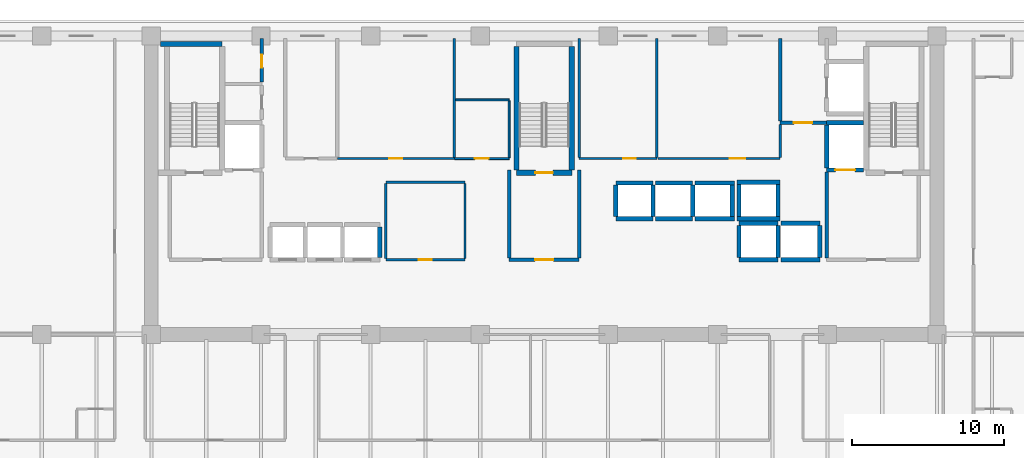
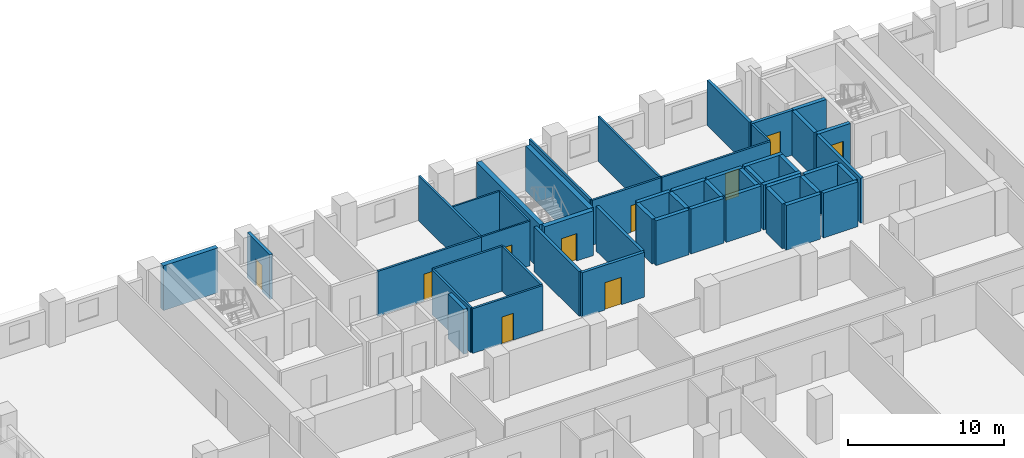
# One storey, part 7 of 14: 50 walls, 10 doors, 10 openings.
"""IFC4 building model written with IfcOpenShell, lengths in metres."""

from ifc_helpers import new_model, si_unit, direction, frame, frame_2d, origin, place, context, subcontext, project, spatial, rectangle, extrude, material, layer, layer_set, type_object, element, fill, save


model = new_model("IFC4")

# Units and contexts
model_context = context("Model", 3, precision=1e-05, world=origin(), true_north=direction((0.0, 1.0)))
body_context = subcontext(model_context, "Body", "Model", "MODEL_VIEW")
ifc_project = project(units=[si_unit("LENGTHUNIT", "METRE"), si_unit("AREAUNIT", "SQUARE_METRE"), si_unit("VOLUMEUNIT", "CUBIC_METRE"), si_unit("PLANEANGLEUNIT", "RADIAN"), si_unit("MASSUNIT", "GRAM", prefix="KILO")], contexts=[model_context])

# Site, building, storey
site_placement = place(None, origin())
site = spatial("IfcSite", under=ifc_project, at=site_placement, CompositionType="ELEMENT")
building_placement = place(site_placement, origin())
building = spatial("IfcBuilding", under=site, at=building_placement, Name="Kaelvorn Grand Hotel", CompositionType="ELEMENT")
storey_placement = place(building_placement, frame((0.0, 0.0, 93.050048828125)))
storey = spatial("IfcBuildingStorey", under=building, at=storey_placement, Name="L21", CompositionType="ELEMENT", Elevation=93.050048828125)

# Wall, opening, door
ifc_material_1 = material(Name="Moisture-Resistant Tile & Stud Board")
ifc_layer_1 = layer(ifc_material_1, 0.125)
ifc_layer_set_1 = layer_set([ifc_layer_1], Name="Moisture-Resistant Tile & Stud Board")
wall_type_1 = type_object("IfcWallType", Name="WL-PART-125-WET", PredefinedType="PARTITIONING", material=ifc_layer_set_1)
wall_1_placement = place(storey_placement, frame((36.110107421875, 40.949951171875, 0.0), z_axis=(0.0, 0.0, 1.0), x_axis=(1.0, 0.0, 0.0)))
wall_1 = element("IfcWall", 1, at=wall_1_placement, inside=storey, type_object=wall_type_1, Name="L21 Accessible WC S Partition", PredefinedType="PARTITIONING", context=body_context, shape_type="SweptSolid", body=[
    extrude(rectangle(XDim=3.58984375, YDim=0.125, at=frame_2d((1.794921875, 0.0))), origin(), (0.0, 0.0, 1.0), 3.510009765625),
])
opening_1_placement = place(wall_1_placement, frame((1.340087890625, 0.0, 0.0)))
opening_1 = element("IfcOpeningElement", 2, at=opening_1_placement, cuts=wall_1, Name="Opening DI4", PredefinedType="OPENING", context=body_context, shape_type="SweptSolid", body=[
    extrude(rectangle(XDim=0.89990234375, YDim=2.10009765625, at=frame_2d((0.449951171875, 1.050048828125))), frame((0.0, 0.072509765625, 0.0), z_axis=(0.0, -1.0, 0.0), x_axis=(1.0, 0.0, 0.0)), (0.0, 0.0, 1.0), 0.14501953125),
])
ifc_material_2 = material(Name="Timber Veneer Leaf", Category="wood")
door_type_1 = type_object("IfcDoorType", Name="DR-INT-BATH-900x2100", OperationType="NOTDEFINED", PredefinedType="DOOR", material=ifc_material_2)
door_1_placement = place(opening_1_placement, origin())
door_1 = element("IfcDoor", 3, at=door_1_placement, inside=storey, type_object=door_type_1, Name="L21 Accessible WC Door", OperationType="SINGLE_SWING_LEFT", OverallHeight=2.10009765625, OverallWidth=0.89990234375, PredefinedType="DOOR", context=body_context, shape_type="SweptSolid", body=[
    extrude(rectangle(XDim=0.89990234375, YDim=2.10009765625, at=frame_2d((0.449951171875, 1.050048828125))), frame((0.0, 0.02490234375, 0.0), z_axis=(0.0, -1.0, 0.0), x_axis=(1.0, 0.0, 0.0)), (0.0, 0.0, 1.0), 0.050048828125),
])
fill(opening_1, door_1)

# Walls
wall_2_placement = place(storey_placement, frame((36.179931640625, 44.800048828125, 0.0), z_axis=(0.0, 0.0, 1.0), x_axis=(1.0, 0.0, 0.0)))
element("IfcWall", 4, at=wall_2_placement, inside=storey, type_object=wall_type_1, Name="L21 Accessible WC N Partition", PredefinedType="PARTITIONING", context=body_context, shape_type="SweptSolid", body=[
    extrude(rectangle(XDim=3.52001953125, YDim=0.125, at=frame_2d((1.760009765625, 0.0))), origin(), (0.0, 0.0, 1.0), 3.510009765625),
])
wall_3_placement = place(storey_placement, frame((39.699951171875, 41.017578125, 0.0), z_axis=(0.0, 0.0, 1.0), x_axis=(0.0, 1.0, 0.0)))
element("IfcWall", 5, at=wall_3_placement, inside=storey, type_object=wall_type_1, Name="L21 Accessible WC E Partition", PredefinedType="PARTITIONING", context=body_context, shape_type="SweptSolid", body=[
    extrude(rectangle(XDim=3.71484375, YDim=0.125, at=frame_2d((1.857421875, 0.0))), origin(), (0.0, 0.0, 1.0), 3.510009765625),
])

# Wall, opening, door
ifc_material_3 = material(Name="Acoustic Gypsum & Stud Partition")
ifc_layer_2 = layer(ifc_material_3, 0.14990234375)
ifc_layer_set_2 = layer_set([ifc_layer_2], Name="Acoustic Gypsum & Stud Partition")
wall_type_2 = type_object("IfcWallType", Name="WL-PART-150-EI60", PredefinedType="PARTITIONING", material=ifc_layer_set_2)
wall_4_placement = place(storey_placement, frame((31.60009765625, 34.300048828125, 0.0), z_axis=(0.0, 0.0, 1.0), x_axis=(1.0, 0.0, 0.0)))
wall_4 = element("IfcWall", 6, at=wall_4_placement, inside=storey, type_object=wall_type_2, Name="L21 Core Telecoms & BMS Server Room S Partition", PredefinedType="PARTITIONING", context=body_context, shape_type="SweptSolid", body=[
    extrude(rectangle(XDim=5.199951171875, YDim=0.14990234375, at=frame_2d((2.60009765625, 0.0))), origin(), (0.0, 0.0, 1.0), 3.510009765625),
])
opening_2_placement = place(wall_4_placement, frame((2.175048828125, 0.0, 0.0)))
opening_2 = element("IfcOpeningElement", 7, at=opening_2_placement, cuts=wall_4, Name="Opening DI7", PredefinedType="OPENING", context=body_context, shape_type="SweptSolid", body=[
    extrude(rectangle(XDim=0.85009765625, YDim=2.10009765625, at=frame_2d((0.425048828125, 1.050048828125))), frame((0.0, 0.0849609375, 0.0), z_axis=(0.0, -1.0, 0.0), x_axis=(1.0, 0.0, 0.0)), (0.0, 0.0, 1.0), 0.169921875),
])
ifc_material_4 = material(Name="Powder-Coated Steel Leaf", Category="steel")
door_type_2 = type_object("IfcDoorType", Name="DR-INT-RISER-850x2100", OperationType="NOTDEFINED", PredefinedType="DOOR", material=ifc_material_4)
door_2_placement = place(opening_2_placement, origin())
door_2 = element("IfcDoor", 8, at=door_2_placement, inside=storey, type_object=door_type_2, Name="L21 Core Telecoms & BMS Server Room Door", OperationType="SINGLE_SWING_RIGHT", OverallHeight=2.10009765625, OverallWidth=0.85009765625, PredefinedType="DOOR", context=body_context, shape_type="SweptSolid", body=[
    extrude(rectangle(XDim=0.85009765625, YDim=2.10009765625, at=frame_2d((0.425048828125, 1.050048828125))), frame((0.0, 0.02490234375, 0.0), z_axis=(0.0, -1.0, 0.0), x_axis=(1.0, 0.0, 0.0)), (0.0, 0.0, 1.0), 0.050048828125),
])
fill(opening_2, door_2)

# Walls
wall_5_placement = place(storey_placement, frame((31.60009765625, 39.39990234375, 0.0), z_axis=(0.0, 0.0, 1.0), x_axis=(1.0, 0.0, 0.0)))
element("IfcWall", 9, at=wall_5_placement, inside=storey, type_object=wall_type_2, Name="L21 Core Telecoms & BMS Server Room N Partition", PredefinedType="PARTITIONING", context=body_context, shape_type="SweptSolid", body=[
    extrude(rectangle(XDim=5.199951171875, YDim=0.14990234375, at=frame_2d((2.60009765625, 0.0))), origin(), (0.0, 0.0, 1.0), 3.510009765625),
])
for number, where, z_axis, x_axis, name in (
    (10, (31.60009765625, 34.3798828125, 0.0), (0.0, 0.0, 1.0), (0.0, 1.0, 0.0), "L21 Core Telecoms & BMS Server Room W Partition"),
    (11, (36.800048828125, 34.3798828125, 0.0), (0.0, 0.0, 1.0), (0.0, 1.0, 0.0), "L21 Core Telecoms & BMS Server Room E Partition"),
):
    element("IfcWall", number, at=place(storey_placement, frame(where, z_axis=z_axis, x_axis=x_axis)), inside=storey, type_object=wall_type_2, Name=name, PredefinedType="PARTITIONING", context=body_context, shape_type="SweptSolid", body=[
        extrude(rectangle(XDim=4.940185546875, YDim=0.14990234375, at=frame_2d((2.47021484375, 0.0))), origin(), (0.0, 0.0, 1.0), 3.510009765625),
    ])

# Wall, opening, door
wall_6_placement = place(storey_placement, frame((28.409912109375, 40.949951171875, 0.0), z_axis=(0.0, 0.0, 1.0), x_axis=(1.0, 0.0, 0.0)))
wall_6 = element("IfcWall", 12, at=wall_6_placement, inside=storey, type_object=wall_type_2, Name="L21 Housekeeping & Linen Room S Partition", PredefinedType="PARTITIONING", context=body_context, shape_type="SweptSolid", body=[
    extrude(rectangle(XDim=7.690185546875, YDim=0.14990234375, at=frame_2d((3.84521484375, 0.0))), origin(), (0.0, 0.0, 1.0), 3.510009765625),
])
opening_3_placement = place(wall_6_placement, frame((3.4150390625, 0.0, 0.0)))
opening_3 = element("IfcOpeningElement", 13, at=opening_3_placement, cuts=wall_6, Name="Opening DI7", PredefinedType="OPENING", context=body_context, shape_type="SweptSolid", body=[
    extrude(rectangle(XDim=0.85009765625, YDim=2.10009765625, at=frame_2d((0.425048828125, 1.050048828125))), frame((0.0, 0.0849609375, 0.0), z_axis=(0.0, -1.0, 0.0), x_axis=(1.0, 0.0, 0.0)), (0.0, 0.0, 1.0), 0.169921875),
])
door_3_placement = place(opening_3_placement, origin())
door_3 = element("IfcDoor", 14, at=door_3_placement, inside=storey, type_object=door_type_2, Name="L21 Housekeeping & Linen Room Door", OperationType="SINGLE_SWING_RIGHT", OverallHeight=2.10009765625, OverallWidth=0.85009765625, PredefinedType="DOOR", context=body_context, shape_type="SweptSolid", body=[
    extrude(rectangle(XDim=0.85009765625, YDim=2.10009765625, at=frame_2d((0.425048828125, 1.050048828125))), frame((0.0, 0.02490234375, 0.0), z_axis=(0.0, -1.0, 0.0), x_axis=(1.0, 0.0, 0.0)), (0.0, 0.0, 1.0), 0.050048828125),
])
fill(opening_3, door_3)

# Wall
wall_7_placement = place(storey_placement, frame((36.10009765625, 41.030029296875, 0.0), z_axis=(0.0, 0.0, 1.0), x_axis=(0.0, 1.0, 0.0)))
element("IfcWall", 15, at=wall_7_placement, inside=storey, type_object=wall_type_2, Name="L21 Housekeeping & Linen Room E Partition", PredefinedType="PARTITIONING", context=body_context, shape_type="SweptSolid", body=[
    extrude(rectangle(XDim=7.820068359375, YDim=0.14990234375, at=frame_2d((3.91015625, 0.0))), origin(), (0.0, 0.0, 1.0), 3.510009765625),
])

# Wall, opening, door
wall_8_placement = place(storey_placement, frame((44.300048828125, 40.949951171875, 0.0), z_axis=(0.0, 0.0, 1.0), x_axis=(1.0, 0.0, 0.0)))
wall_8 = element("IfcWall", 16, at=wall_8_placement, inside=storey, type_object=wall_type_2, Name="L21 Laundry Chute Vestibule S Partition", PredefinedType="PARTITIONING", context=body_context, shape_type="SweptSolid", body=[
    extrude(rectangle(XDim=5.099853515625, YDim=0.14990234375, at=frame_2d((2.5498046875, 0.0))), origin(), (0.0, 0.0, 1.0), 3.510009765625),
])
opening_4_placement = place(wall_8_placement, frame((2.875, 0.0, 0.0)))
opening_4 = element("IfcOpeningElement", 17, at=opening_4_placement, cuts=wall_8, Name="Opening DI7", PredefinedType="OPENING", context=body_context, shape_type="SweptSolid", body=[
    extrude(rectangle(XDim=0.85009765625, YDim=2.10009765625, at=frame_2d((0.425048828125, 1.050048828125))), frame((0.0, 0.0849609375, 0.0), z_axis=(0.0, -1.0, 0.0), x_axis=(1.0, 0.0, 0.0)), (0.0, 0.0, 1.0), 0.169921875),
])
door_4_placement = place(opening_4_placement, origin())
door_4 = element("IfcDoor", 18, at=door_4_placement, inside=storey, type_object=door_type_2, Name="L21 Laundry Chute Vestibule Door", OperationType="SINGLE_SWING_RIGHT", OverallHeight=2.10009765625, OverallWidth=0.85009765625, PredefinedType="DOOR", context=body_context, shape_type="SweptSolid", body=[
    extrude(rectangle(XDim=0.85009765625, YDim=2.10009765625, at=frame_2d((0.425048828125, 1.050048828125))), frame((0.0, 0.02490234375, 0.0), z_axis=(0.0, -1.0, 0.0), x_axis=(1.0, 0.0, 0.0)), (0.0, 0.0, 1.0), 0.050048828125),
])
fill(opening_4, door_4)

# Walls
for number, where, z_axis, x_axis, name in (
    (19, (44.300048828125, 41.030029296875, 0.0), (0.0, 0.0, 1.0), (0.0, 1.0, 0.0), "L21 Laundry Chute Vestibule W Partition"),
    (20, (49.39990234375, 41.030029296875, 0.0), (0.0, 0.0, 1.0), (0.0, 1.0, 0.0), "L21 Laundry Chute Vestibule E Partition"),
):
    element("IfcWall", number, at=place(storey_placement, frame(where, z_axis=z_axis, x_axis=x_axis)), inside=storey, type_object=wall_type_2, Name=name, PredefinedType="PARTITIONING", context=body_context, shape_type="SweptSolid", body=[
        extrude(rectangle(XDim=7.820068359375, YDim=0.14990234375, at=frame_2d((3.91015625, 0.0))), origin(), (0.0, 0.0, 1.0), 3.510009765625),
    ])

# Wall, opening, door
wall_9_placement = place(storey_placement, frame((49.47998046875, 40.949951171875, 0.0), z_axis=(0.0, 0.0, 1.0), x_axis=(1.0, 0.0, 0.0)))
wall_9 = element("IfcWall", 21, at=wall_9_placement, inside=storey, type_object=wall_type_2, Name="L21 Butler Servery Pantry S Partition", PredefinedType="PARTITIONING", context=body_context, shape_type="SweptSolid", body=[
    extrude(rectangle(XDim=8.02001953125, YDim=0.14990234375, at=frame_2d((4.010009765625, 0.0))), origin(), (0.0, 0.0, 1.0), 3.510009765625),
])
opening_5_placement = place(wall_9_placement, frame((4.719970703125, 0.0, 0.0)))
opening_5 = element("IfcOpeningElement", 22, at=opening_5_placement, cuts=wall_9, Name="Opening DI3", PredefinedType="OPENING", context=body_context, shape_type="SweptSolid", body=[
    extrude(rectangle(XDim=1.0, YDim=2.14990234375, at=frame_2d((0.5, 1.074951171875))), frame((0.0, 0.0849609375, 0.0), z_axis=(0.0, -1.0, 0.0), x_axis=(1.0, 0.0, 0.0)), (0.0, 0.0, 1.0), 0.169921875),
])
ifc_material_5 = material(Name="Timber Veneer Fire Leaf", Category="wood")
door_type_3 = type_object("IfcDoorType", Name="DR-INT-GUEST-1000x2150", OperationType="NOTDEFINED", PredefinedType="DOOR", material=ifc_material_5)
door_5_placement = place(opening_5_placement, origin())
door_5 = element("IfcDoor", 23, at=door_5_placement, inside=storey, type_object=door_type_3, Name="L21 Butler Servery Pantry Door", OperationType="SINGLE_SWING_LEFT", OverallHeight=2.14990234375, OverallWidth=1.0, PredefinedType="DOOR", context=body_context, shape_type="SweptSolid", body=[
    extrude(rectangle(XDim=1.0, YDim=2.14990234375, at=frame_2d((0.5, 1.074951171875))), frame((0.0, 0.02490234375, 0.0), z_axis=(0.0, -1.0, 0.0), x_axis=(1.0, 0.0, 0.0)), (0.0, 0.0, 1.0), 0.050048828125),
])
fill(opening_5, door_5)

# Walls
wall_10_placement = place(storey_placement, frame((57.5, 41.030029296875, 0.0), z_axis=(0.0, 0.0, 1.0), x_axis=(0.0, 1.0, 0.0)))
element("IfcWall", 24, at=wall_10_placement, inside=storey, type_object=wall_type_2, Name="L21 Butler Servery Pantry E Partition", PredefinedType="PARTITIONING", context=body_context, shape_type="SweptSolid", body=[
    extrude(rectangle(XDim=2.155029296875, YDim=0.14990234375, at=frame_2d((1.07763671875, 0.0))), origin(), (0.0, 0.0, 1.0), 3.510009765625),
])
ifc_material_6 = material(Name="Concrete C40/50", Category="concrete")
ifc_layer_3 = layer(ifc_material_6, 0.219970703125)
ifc_layer_set_3 = layer_set([ifc_layer_3], Name="Concrete C40/50")
wall_type_3 = type_object("IfcWallType", Name="WL-PART-220-EI120", PredefinedType="PARTITIONING", material=ifc_layer_set_3)
wall_11_placement = place(storey_placement, frame((60.550048828125, 34.4150390625, 0.0), z_axis=(0.0, 0.0, 1.0), x_axis=(0.0, 1.0, 0.0)))
element("IfcWall", 25, at=wall_11_placement, inside=storey, type_object=wall_type_3, Name="L21 Firefighting Lift Lobby 2 W Partition", PredefinedType="PARTITIONING", context=body_context, shape_type="SweptSolid", body=[
    extrude(rectangle(XDim=5.639892578125, YDim=0.219970703125, at=frame_2d((2.81982421875, 0.0))), origin(), (0.0, 0.0, 1.0), 3.510009765625),
])

# Wall, opening, door
wall_12_placement = place(storey_placement, frame((39.699951171875, 34.300048828125, 0.0), z_axis=(0.0, 0.0, 1.0), x_axis=(1.0, 0.0, 0.0)))
wall_12 = element("IfcWall", 26, at=wall_12_placement, inside=storey, type_object=wall_type_3, Name="L21 Central Stair Escape Vestibule S Partition", PredefinedType="PARTITIONING", context=body_context, shape_type="SweptSolid", body=[
    extrude(rectangle(XDim=4.60009765625, YDim=0.219970703125, at=frame_2d((2.300048828125, 0.0))), origin(), (0.0, 0.0, 1.0), 3.510009765625),
])
opening_6_placement = place(wall_12_placement, frame((1.699951171875, 0.0, 0.0)))
opening_6 = element("IfcOpeningElement", 27, at=opening_6_placement, cuts=wall_12, Name="Opening DI2", PredefinedType="OPENING", context=body_context, shape_type="SweptSolid", body=[
    extrude(rectangle(XDim=1.199951171875, YDim=2.14990234375, at=frame_2d((0.60009765625, 1.074951171875))), frame((0.0, 0.1201171875, 0.0), z_axis=(0.0, -1.0, 0.0), x_axis=(1.0, 0.0, 0.0)), (0.0, 0.0, 1.0), 0.239990234375),
])
door_type_4 = type_object("IfcDoorType", Name="DR-INT-FFLOB-1200x2150", OperationType="NOTDEFINED", PredefinedType="DOOR", material=ifc_material_5)
door_6_placement = place(opening_6_placement, origin())
door_6 = element("IfcDoor", 28, at=door_6_placement, inside=storey, type_object=door_type_4, Name="L21 Central Stair Escape Vestibule Door", OperationType="SINGLE_SWING_RIGHT", OverallHeight=2.14990234375, OverallWidth=1.199951171875, PredefinedType="DOOR", context=body_context, shape_type="SweptSolid", body=[
    extrude(rectangle(XDim=1.199951171875, YDim=2.14990234375, at=frame_2d((0.60009765625, 1.074951171875))), frame((0.0, 0.02490234375, 0.0), z_axis=(0.0, -1.0, 0.0), x_axis=(1.0, 0.0, 0.0)), (0.0, 0.0, 1.0), 0.050048828125),
])
fill(opening_6, door_6)

# Walls
for number, where, z_axis, x_axis, name in (
    (29, (39.699951171875, 34.4150390625, 0.0), (0.0, 0.0, 1.0), (0.0, 1.0, 0.0), "L21 Central Stair Escape Vestibule W Partition"),
    (30, (44.300048828125, 34.4150390625, 0.0), (0.0, 0.0, 1.0), (0.0, 1.0, 0.0), "L21 Central Stair Escape Vestibule E Partition"),
):
    element("IfcWall", number, at=place(storey_placement, frame(where, z_axis=z_axis, x_axis=x_axis)), inside=storey, type_object=wall_type_3, Name=name, PredefinedType="PARTITIONING", context=body_context, shape_type="SweptSolid", body=[
        extrude(rectangle(XDim=5.784912109375, YDim=0.219970703125, at=frame_2d((2.892578125, 0.0))), origin(), (0.0, 0.0, 1.0), 3.510009765625),
    ])

# Wall, opening, door
wall_13_placement = place(storey_placement, frame((57.5, 43.300048828125, 0.0), z_axis=(0.0, 0.0, 1.0), x_axis=(1.0, 0.0, 0.0)))
wall_13 = element("IfcWall", 31, at=wall_13_placement, inside=storey, type_object=wall_type_3, Name="L21 Service Lift Lobby S Partition", PredefinedType="PARTITIONING", context=body_context, shape_type="SweptSolid", body=[
    extrude(rectangle(XDim=3.0400390625, YDim=0.219970703125, at=frame_2d((1.52001953125, 0.0))), origin(), (0.0, 0.0, 1.0), 3.510009765625),
])
opening_7_placement = place(wall_13_placement, frame((0.89990234375, 0.0, 0.0)))
opening_7 = element("IfcOpeningElement", 32, at=opening_7_placement, cuts=wall_13, Name="Opening DI2", PredefinedType="OPENING", context=body_context, shape_type="SweptSolid", body=[
    extrude(rectangle(XDim=1.199951171875, YDim=2.14990234375, at=frame_2d((0.60009765625, 1.074951171875))), frame((0.0, 0.1201171875, 0.0), z_axis=(0.0, -1.0, 0.0), x_axis=(1.0, 0.0, 0.0)), (0.0, 0.0, 1.0), 0.239990234375),
])
door_7_placement = place(opening_7_placement, origin())
door_7 = element("IfcDoor", 33, at=door_7_placement, inside=storey, type_object=door_type_4, Name="L21 Service Lift Lobby Door", OperationType="SINGLE_SWING_LEFT", OverallHeight=2.14990234375, OverallWidth=1.199951171875, PredefinedType="DOOR", context=body_context, shape_type="SweptSolid", body=[
    extrude(rectangle(XDim=1.199951171875, YDim=2.14990234375, at=frame_2d((0.60009765625, 1.074951171875))), frame((0.0, 0.02490234375, 0.0), z_axis=(0.0, -1.0, 0.0), x_axis=(1.0, 0.0, 0.0)), (0.0, 0.0, 1.0), 0.050048828125),
])
fill(opening_7, door_7)

# Wall
wall_14_placement = place(storey_placement, frame((57.5, 43.4150390625, 0.0), z_axis=(0.0, 0.0, 1.0), x_axis=(0.0, 1.0, 0.0)))
element("IfcWall", 34, at=wall_14_placement, inside=storey, type_object=wall_type_3, Name="L21 Service Lift Lobby W Partition", PredefinedType="PARTITIONING", context=body_context, shape_type="SweptSolid", body=[
    extrude(rectangle(XDim=5.43505859375, YDim=0.219970703125, at=frame_2d((2.717529296875, 0.0))), origin(), (0.0, 0.0, 1.0), 3.510009765625),
])

# Wall, opening, door
wall_15_placement = place(storey_placement, frame((23.449951171875, 45.965087890625, 0.0), z_axis=(0.0, 0.0, 1.0), x_axis=(0.0, 1.0, 0.0)))
wall_15 = element("IfcWall", 35, at=wall_15_placement, inside=storey, type_object=wall_type_3, Name="L21 HV Electrical & Smoke Riser E Partition", PredefinedType="PARTITIONING", context=body_context, shape_type="SweptSolid", body=[
    extrude(rectangle(XDim=2.885009765625, YDim=0.219970703125, at=frame_2d((1.4423828125, 0.0))), origin(), (0.0, 0.0, 1.0), 3.510009765625),
])
opening_8_placement = place(wall_15_placement, frame((0.9599609375, 0.0, 0.0)))
opening_8 = element("IfcOpeningElement", 36, at=opening_8_placement, cuts=wall_15, Name="Opening DI7", PredefinedType="OPENING", context=body_context, shape_type="SweptSolid", body=[
    extrude(rectangle(XDim=0.85009765625, YDim=2.10009765625, at=frame_2d((0.425048828125, 1.050048828125))), frame((0.0, 0.1201171875, 0.0), z_axis=(0.0, -1.0, 0.0), x_axis=(1.0, 0.0, 0.0)), (0.0, 0.0, 1.0), 0.239990234375),
])
door_8_placement = place(opening_8_placement, origin())
door_8 = element("IfcDoor", 37, at=door_8_placement, inside=storey, type_object=door_type_2, Name="L21 HV Electrical & Smoke Riser Door", OperationType="SINGLE_SWING_LEFT", OverallHeight=2.10009765625, OverallWidth=0.85009765625, PredefinedType="DOOR", context=body_context, shape_type="SweptSolid", body=[
    extrude(rectangle(XDim=0.85009765625, YDim=2.10009765625, at=frame_2d((0.425048828125, 1.050048828125))), frame((0.0, 0.02490234375, 0.0), z_axis=(0.0, -1.0, 0.0), x_axis=(1.0, 0.0, 0.0)), (0.0, 0.0, 1.0), 0.050048828125),
])
fill(opening_8, door_8)

# Walls
ifc_material_7 = material(Name="Concrete C50/60", Category="concrete")
ifc_layer_4 = layer(ifc_material_7, 0.280029296875)
ifc_layer_set_4 = layer_set([ifc_layer_4], Name="Concrete C50/60")
wall_type_4 = type_object("IfcWallType", Name="WL-SHAFT-280-C50", PredefinedType="SHEAR", material=ifc_layer_set_4)
wall_16_placement = place(storey_placement, frame((31.199951171875, 34.445068359375, 0.0), z_axis=(0.0, 0.0, 1.0), x_axis=(0.0, 1.0, 0.0)))
element("IfcWall", 38, at=wall_16_placement, inside=storey, type_object=wall_type_4, Name="L21 Lift PL-L3 Shaft East Wall", PredefinedType="SHEAR", context=body_context, shape_type="SweptSolid", body=[
    extrude(rectangle(XDim=2.010009765625, YDim=0.280029296875, at=frame_2d((1.0048828125, 0.0))), origin(), (0.0, 0.0, 1.0), 3.510009765625),
])
for number, where, z_axis, x_axis, name in (
    (39, (46.699951171875, 37.0, 0.0), (0.0, 0.0, 1.0), (1.0, 0.0, 0.0), "L21 Lift SL-1 Shaft South Wall"),
    (40, (46.699951171875, 39.35009765625, 0.0), (0.0, 0.0, 1.0), (1.0, 0.0, 0.0), "L21 Lift SL-1 Shaft North Wall"),
):
    element("IfcWall", number, at=place(storey_placement, frame(where, z_axis=z_axis, x_axis=x_axis)), inside=storey, type_object=wall_type_4, Name=name, PredefinedType="SHEAR", context=body_context, shape_type="SweptSolid", body=[
        extrude(rectangle(XDim=2.449951171875, YDim=0.280029296875, at=frame_2d((1.22509765625, 0.0))), origin(), (0.0, 0.0, 1.0), 3.510009765625),
    ])
for number, where, z_axis, x_axis, name in (
    (41, (46.699951171875, 37.14501953125, 0.0), (0.0, 0.0, 1.0), (0.0, 1.0, 0.0), "L21 Lift SL-1 Shaft West Wall"),
    (42, (49.14990234375, 37.14501953125, 0.0), (0.0, 0.0, 1.0), (0.0, 1.0, 0.0), "L21 Lift SL-1 Shaft East Wall"),
):
    element("IfcWall", number, at=place(storey_placement, frame(where, z_axis=z_axis, x_axis=x_axis)), inside=storey, type_object=wall_type_4, Name=name, PredefinedType="SHEAR", context=body_context, shape_type="SweptSolid", body=[
        extrude(rectangle(XDim=2.06005859375, YDim=0.280029296875, at=frame_2d((1.030029296875, 0.0))), origin(), (0.0, 0.0, 1.0), 3.510009765625),
    ])
for number, where, z_axis, x_axis, name in (
    (43, (49.300048828125, 37.0, 0.0), (0.0, 0.0, 1.0), (1.0, 0.0, 0.0), "L21 Lift SL-2 Shaft South Wall"),
    (44, (49.300048828125, 39.35009765625, 0.0), (0.0, 0.0, 1.0), (1.0, 0.0, 0.0), "L21 Lift SL-2 Shaft North Wall"),
):
    element("IfcWall", number, at=place(storey_placement, frame(where, z_axis=z_axis, x_axis=x_axis)), inside=storey, type_object=wall_type_4, Name=name, PredefinedType="SHEAR", context=body_context, shape_type="SweptSolid", body=[
        extrude(rectangle(XDim=2.449951171875, YDim=0.280029296875, at=frame_2d((1.22509765625, 0.0))), origin(), (0.0, 0.0, 1.0), 3.510009765625),
    ])
wall_17_placement = place(storey_placement, frame((51.75, 37.14501953125, 0.0), z_axis=(0.0, 0.0, 1.0), x_axis=(0.0, 1.0, 0.0)))
element("IfcWall", 45, at=wall_17_placement, inside=storey, type_object=wall_type_4, Name="L21 Lift SL-2 Shaft East Wall", PredefinedType="SHEAR", context=body_context, shape_type="SweptSolid", body=[
    extrude(rectangle(XDim=2.06005859375, YDim=0.280029296875, at=frame_2d((1.030029296875, 0.0))), origin(), (0.0, 0.0, 1.0), 3.510009765625),
])
for number, where, z_axis, x_axis, name in (
    (46, (51.89990234375, 37.0, 0.0), (0.0, 0.0, 1.0), (1.0, 0.0, 0.0), "L21 Lift SL-3 Shaft South Wall"),
    (47, (51.89990234375, 39.35009765625, 0.0), (0.0, 0.0, 1.0), (1.0, 0.0, 0.0), "L21 Lift SL-3 Shaft North Wall"),
):
    element("IfcWall", number, at=place(storey_placement, frame(where, z_axis=z_axis, x_axis=x_axis)), inside=storey, type_object=wall_type_4, Name=name, PredefinedType="SHEAR", context=body_context, shape_type="SweptSolid", body=[
        extrude(rectangle(XDim=2.590087890625, YDim=0.280029296875, at=frame_2d((1.294921875, 0.0))), origin(), (0.0, 0.0, 1.0), 3.510009765625),
    ])
wall_18_placement = place(storey_placement, frame((54.35009765625, 37.14501953125, 0.0), z_axis=(0.0, 0.0, 1.0), x_axis=(0.0, 1.0, 0.0)))
element("IfcWall", 48, at=wall_18_placement, inside=storey, type_object=wall_type_4, Name="L21 Lift SL-3 Shaft East Wall", PredefinedType="SHEAR", context=body_context, shape_type="SweptSolid", body=[
    extrude(rectangle(XDim=2.06005859375, YDim=0.280029296875, at=frame_2d((1.030029296875, 0.0))), origin(), (0.0, 0.0, 1.0), 3.510009765625),
])
for number, where, z_axis, x_axis, name in (
    (49, (54.800048828125, 34.300048828125, 0.0), (0.0, 0.0, 1.0), (1.0, 0.0, 0.0), "L21 Lift OL-1 Shaft South Wall"),
    (50, (54.800048828125, 36.699951171875, 0.0), (0.0, 0.0, 1.0), (1.0, 0.0, 0.0), "L21 Lift OL-1 Shaft North Wall"),
):
    element("IfcWall", number, at=place(storey_placement, frame(where, z_axis=z_axis, x_axis=x_axis)), inside=storey, type_object=wall_type_4, Name=name, PredefinedType="SHEAR", context=body_context, shape_type="SweptSolid", body=[
        extrude(rectangle(XDim=2.550048828125, YDim=0.280029296875, at=frame_2d((1.27490234375, 0.0))), origin(), (0.0, 0.0, 1.0), 3.510009765625),
    ])
for number, where, z_axis, x_axis, name in (
    (51, (54.800048828125, 34.445068359375, 0.0), (0.0, 0.0, 1.0), (0.0, 1.0, 0.0), "L21 Lift OL-1 Shaft West Wall"),
    (52, (57.35009765625, 34.445068359375, 0.0), (0.0, 0.0, 1.0), (0.0, 1.0, 0.0), "L21 Lift OL-1 Shaft East Wall"),
):
    element("IfcWall", number, at=place(storey_placement, frame(where, z_axis=z_axis, x_axis=x_axis)), inside=storey, type_object=wall_type_4, Name=name, PredefinedType="SHEAR", context=body_context, shape_type="SweptSolid", body=[
        extrude(rectangle(XDim=2.10986328125, YDim=0.280029296875, at=frame_2d((1.054931640625, 0.0))), origin(), (0.0, 0.0, 1.0), 3.510009765625),
    ])
for number, where, z_axis, x_axis, name in (
    (53, (57.550048828125, 34.300048828125, 0.0), (0.0, 0.0, 1.0), (1.0, 0.0, 0.0), "L21 Lift OL-2 Shaft South Wall"),
    (54, (57.550048828125, 36.699951171875, 0.0), (0.0, 0.0, 1.0), (1.0, 0.0, 0.0), "L21 Lift OL-2 Shaft North Wall"),
):
    element("IfcWall", number, at=place(storey_placement, frame(where, z_axis=z_axis, x_axis=x_axis)), inside=storey, type_object=wall_type_4, Name=name, PredefinedType="SHEAR", context=body_context, shape_type="SweptSolid", body=[
        extrude(rectangle(XDim=2.550048828125, YDim=0.280029296875, at=frame_2d((1.27490234375, 0.0))), origin(), (0.0, 0.0, 1.0), 3.510009765625),
    ])
wall_19_placement = place(storey_placement, frame((60.10009765625, 34.445068359375, 0.0), z_axis=(0.0, 0.0, 1.0), x_axis=(0.0, 1.0, 0.0)))
element("IfcWall", 55, at=wall_19_placement, inside=storey, type_object=wall_type_4, Name="L21 Lift OL-2 Shaft East Wall", PredefinedType="SHEAR", context=body_context, shape_type="SweptSolid", body=[
    extrude(rectangle(XDim=2.10986328125, YDim=0.280029296875, at=frame_2d((1.054931640625, 0.0))), origin(), (0.0, 0.0, 1.0), 3.510009765625),
])
for number, where, z_axis, x_axis, name in (
    (56, (54.659912109375, 37.0, 0.0), (0.0, 0.0, 1.0), (1.0, 0.0, 0.0), "L21 Lift OL-3 Shaft South Wall"),
    (57, (54.659912109375, 39.39990234375, 0.0), (0.0, 0.0, 1.0), (1.0, 0.0, 0.0), "L21 Lift OL-3 Shaft North Wall"),
):
    element("IfcWall", number, at=place(storey_placement, frame(where, z_axis=z_axis, x_axis=x_axis)), inside=storey, type_object=wall_type_4, Name=name, PredefinedType="SHEAR", context=body_context, shape_type="SweptSolid", body=[
        extrude(rectangle(XDim=2.830078125, YDim=0.280029296875, at=frame_2d((1.4150390625, 0.0))), origin(), (0.0, 0.0, 1.0), 3.510009765625),
    ])
for number, where, z_axis, x_axis, name in (
    (58, (54.800048828125, 37.14501953125, 0.0), (0.0, 0.0, 1.0), (0.0, 1.0, 0.0), "L21 Lift OL-3 Shaft West Wall"),
    (59, (57.35009765625, 37.14501953125, 0.0), (0.0, 0.0, 1.0), (0.0, 1.0, 0.0), "L21 Lift OL-3 Shaft East Wall"),
):
    element("IfcWall", number, at=place(storey_placement, frame(where, z_axis=z_axis, x_axis=x_axis)), inside=storey, type_object=wall_type_4, Name=name, PredefinedType="SHEAR", context=body_context, shape_type="SweptSolid", body=[
        extrude(rectangle(XDim=2.10986328125, YDim=0.280029296875, at=frame_2d((1.054931640625, 0.0))), origin(), (0.0, 0.0, 1.0), 3.510009765625),
    ])

# Wall, opening, door
wall_20_placement = place(storey_placement, frame((60.550048828125, 40.199951171875, 0.0), z_axis=(0.0, 0.0, 1.0), x_axis=(1.0, 0.0, 0.0)))
wall_20 = element("IfcWall", 60, at=wall_20_placement, inside=storey, type_object=wall_type_4, Name="L21 Lift FFL2 Shaft South Wall", PredefinedType="SHEAR", context=body_context, shape_type="SweptSolid", body=[
    extrude(rectangle(XDim=2.4150390625, YDim=0.280029296875, at=frame_2d((1.20751953125, 0.0))), origin(), (0.0, 0.0, 1.0), 3.510009765625),
])
opening_9_placement = place(wall_20_placement, frame((0.574951171875, 0.0, 0.0)))
opening_9 = element("IfcOpeningElement", 61, at=opening_9_placement, cuts=wall_20, Name="Opening LD-FFL2", PredefinedType="OPENING", context=body_context, shape_type="SweptSolid", body=[
    extrude(rectangle(XDim=1.300048828125, YDim=2.300048828125, at=frame_2d((0.64990234375, 1.14990234375))), frame((0.0, 0.14990234375, 0.0), z_axis=(0.0, -1.0, 0.0), x_axis=(1.0, 0.0, 0.0)), (0.0, 0.0, 1.0), 0.300048828125),
])
ifc_material_8 = material(Name="Stainless Steel", Category="steel")
door_type_5 = type_object("IfcDoorType", Name="DR-LIFT-SERV-1300x2300", OperationType="DOUBLE_DOOR_SLIDING", PredefinedType="DOOR", material=ifc_material_8)
door_9_placement = place(opening_9_placement, origin())
door_9 = element("IfcDoor", 62, at=door_9_placement, inside=storey, type_object=door_type_5, Name="L21 Lift FFL2 Sliding Landing Door LD-FFL2", OperationType="DOUBLE_DOOR_SLIDING", OverallHeight=2.300048828125, OverallWidth=1.300048828125, PredefinedType="DOOR", context=body_context, shape_type="SweptSolid", body=[
    extrude(rectangle(XDim=1.300048828125, YDim=2.300048828125, at=frame_2d((0.64990234375, 1.14990234375))), frame((0.0, 0.02490234375, 0.0), z_axis=(0.0, -1.0, 0.0), x_axis=(1.0, 0.0, 0.0)), (0.0, 0.0, 1.0), 0.050048828125),
])
fill(opening_9, door_9)

# Walls
wall_21_placement = place(storey_placement, frame((60.550048828125, 43.300048828125, 0.0), z_axis=(0.0, 0.0, 1.0), x_axis=(1.0, 0.0, 0.0)))
element("IfcWall", 63, at=wall_21_placement, inside=storey, type_object=wall_type_4, Name="L21 Lift FFL2 Shaft North Wall", PredefinedType="SHEAR", context=body_context, shape_type="SweptSolid", body=[
    extrude(rectangle(XDim=2.4150390625, YDim=0.280029296875, at=frame_2d((1.20751953125, 0.0))), origin(), (0.0, 0.0, 1.0), 3.510009765625),
])
wall_22_placement = place(storey_placement, frame((60.550048828125, 40.344970703125, 0.0), z_axis=(0.0, 0.0, 1.0), x_axis=(0.0, 1.0, 0.0)))
element("IfcWall", 64, at=wall_22_placement, inside=storey, type_object=wall_type_4, Name="L21 Lift FFL2 Shaft West Wall", PredefinedType="SHEAR", context=body_context, shape_type="SweptSolid", body=[
    extrude(rectangle(XDim=2.81005859375, YDim=0.280029296875, at=frame_2d((1.405029296875, 0.0))), origin(), (0.0, 0.0, 1.0), 3.510009765625),
])
ifc_material_9 = material(Name="Concrete C60/75", Category="concrete")
ifc_layer_5 = layer(ifc_material_9, 0.35009765625)
ifc_layer_set_5 = layer_set([ifc_layer_5], Name="Concrete C60/75")
wall_type_5 = type_object("IfcWallType", Name="WL-SHAFT-350-C60", PredefinedType="SHEAR", material=ifc_layer_set_5)
wall_23_placement = place(storey_placement, frame((16.804931640625, 48.47509765625, 0.0), z_axis=(0.0, 0.0, 1.0), x_axis=(1.0, 0.0, 0.0)))
element("IfcWall", 65, at=wall_23_placement, inside=storey, type_object=wall_type_5, Name="L21 ST1 Stair Shaft North Wall", PredefinedType="SHEAR", context=body_context, shape_type="SweptSolid", body=[
    extrude(rectangle(XDim=4.050048828125, YDim=0.35009765625, at=frame_2d((2.02490234375, 0.0))), origin(), (0.0, 0.0, 1.0), 3.510009765625),
])

# Wall, opening, door
wall_24_placement = place(storey_placement, frame((40.18505859375, 40.02490234375, 0.0), z_axis=(0.0, 0.0, 1.0), x_axis=(1.0, 0.0, 0.0)))
wall_24 = element("IfcWall", 66, at=wall_24_placement, inside=storey, type_object=wall_type_5, Name="L21 ST2 Stair Shaft South Wall", PredefinedType="SHEAR", context=body_context, shape_type="SweptSolid", body=[
    extrude(rectangle(XDim=3.6298828125, YDim=0.35009765625, at=frame_2d((1.81494140625, 0.0))), origin(), (0.0, 0.0, 1.0), 3.510009765625),
])
opening_10_placement = place(wall_24_placement, frame((1.239990234375, 0.0, 0.0)))
opening_10 = element("IfcOpeningElement", 67, at=opening_10_placement, cuts=wall_24, Name="Opening DI1", PredefinedType="OPENING", context=body_context, shape_type="SweptSolid", body=[
    extrude(rectangle(XDim=1.14990234375, YDim=2.14990234375, at=frame_2d((0.574951171875, 1.074951171875))), frame((0.0, 0.18505859375, 0.0), z_axis=(0.0, -1.0, 0.0), x_axis=(1.0, 0.0, 0.0)), (0.0, 0.0, 1.0), 0.3701171875),
])
door_type_6 = type_object("IfcDoorType", Name="DR-INT-STAIR-1150x2150", OperationType="NOTDEFINED", PredefinedType="DOOR", material=ifc_material_5)
door_10_placement = place(opening_10_placement, origin())
door_10 = element("IfcDoor", 68, at=door_10_placement, inside=storey, type_object=door_type_6, Name="L21 ST2 Exit Stair Fire Door", OperationType="SINGLE_SWING_RIGHT", OverallHeight=2.14990234375, OverallWidth=1.14990234375, PredefinedType="DOOR", context=body_context, shape_type="SweptSolid", body=[
    extrude(rectangle(XDim=1.14990234375, YDim=2.14990234375, at=frame_2d((0.574951171875, 1.074951171875))), frame((0.0, 0.02490234375, 0.0), z_axis=(0.0, -1.0, 0.0), x_axis=(1.0, 0.0, 0.0)), (0.0, 0.0, 1.0), 0.050048828125),
])
fill(opening_10, door_10)

# Walls
for number, where, z_axis, x_axis, name in (
    (69, (40.18505859375, 40.205078125, 0.0), (0.0, 0.0, 1.0), (0.0, 1.0, 0.0), "L21 ST2 Stair Shaft West Wall"),
    (70, (43.81494140625, 40.205078125, 0.0), (0.0, 0.0, 1.0), (0.0, 1.0, 0.0), "L21 ST2 Stair Shaft East Wall"),
):
    element("IfcWall", number, at=place(storey_placement, frame(where, z_axis=z_axis, x_axis=x_axis)), inside=storey, type_object=wall_type_5, Name=name, PredefinedType="SHEAR", context=body_context, shape_type="SweptSolid", body=[
        extrude(rectangle(XDim=8.08984375, YDim=0.35009765625, at=frame_2d((4.044921875, 0.0))), origin(), (0.0, 0.0, 1.0), 3.510009765625),
    ])

save(model, "model.ifc")
